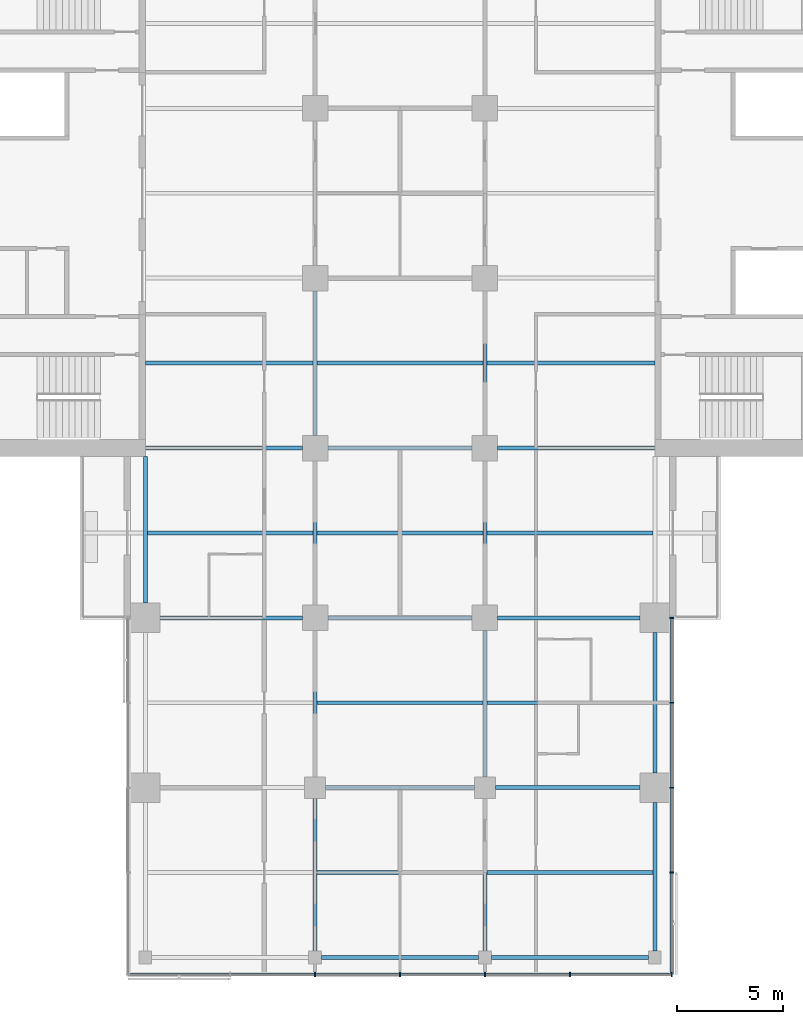
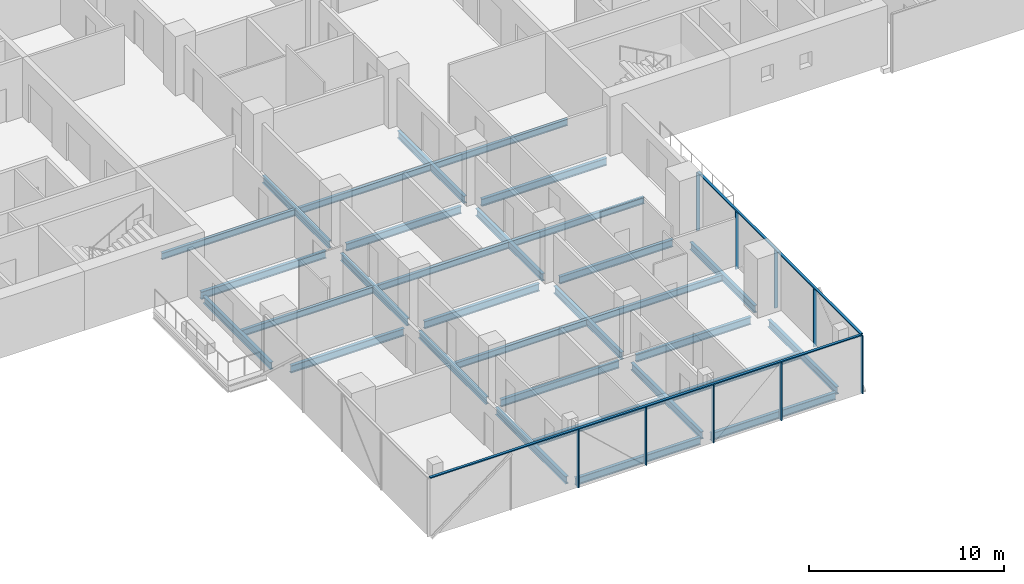
# One storey, part 4 of 27: 31 beams, 11 members, 2 elements without a shape of their own.
"""IFC4 building model written with IfcOpenShell, lengths in metres."""

from ifc_helpers import new_model, si_unit, direction, frame, origin, origin_2d, place, context, subcontext, project, spatial, rectangle, i_section, extrude, material, material_profile, profile_set, type_object, element, aggregate, save


model = new_model("IFC4")

# Units and contexts
model_context = context("Model", 3, precision=1e-05, world=origin(), true_north=direction((0.0, 1.0)))
body_context = subcontext(model_context, "Body", "Model", "MODEL_VIEW")
ifc_project = project(units=[si_unit("LENGTHUNIT", "METRE"), si_unit("AREAUNIT", "SQUARE_METRE"), si_unit("VOLUMEUNIT", "CUBIC_METRE"), si_unit("PLANEANGLEUNIT", "RADIAN"), si_unit("MASSUNIT", "GRAM", prefix="KILO")], contexts=[model_context])

# Site, building, storey
site_placement = place(None, origin())
site = spatial("IfcSite", under=ifc_project, at=site_placement, CompositionType="ELEMENT")
building_placement = place(site_placement, origin())
building = spatial("IfcBuilding", under=site, at=building_placement, Name="Crosswind Convention Tower", CompositionType="ELEMENT")
storey_placement = place(building_placement, frame((0.0, 0.0, 90.5)))
storey = spatial("IfcBuildingStorey", under=building, at=storey_placement, Name="L17", CompositionType="ELEMENT", Elevation=90.5)

# Beams
ifc_material_1 = material(Name="Steel S355", Category="steel")
ifc_material_profile_1 = material_profile(ifc_material_1, i_section(OverallWidth=0.1904296875, OverallDepth=0.457275390625, WebThickness=0.009033203125, FlangeThickness=0.014404296875, FilletRadius=0.01025390625, at=origin_2d()), Name="UB 457x191x75")
ifc_profile_set_1 = profile_set([ifc_material_profile_1], Name="Steel S355")
beam_type_1 = type_object("IfcBeamType", Name="Edge beam UB 457x191x75", PredefinedType="SPANDREL", material=ifc_profile_set_1)
beam_1_placement = place(storey_placement, frame((113.0, 80.699951171875, -0.508544921875), z_axis=(0.0, 1.0, 0.0), x_axis=(-1.0, 0.0, 0.0)))
element("IfcBeam", 1, at=beam_1_placement, inside=storey, type_object=beam_type_1, Name="B17 L17 edge beam 8", PredefinedType="SPANDREL", context=body_context, shape_type="SweptSolid", body=[
    extrude(i_section(OverallWidth=0.1904296875, OverallDepth=0.457275390625, WebThickness=0.009033203125, FlangeThickness=0.014404296875, FilletRadius=0.01025390625, at=origin_2d()), origin(), (0.0, 0.0, 1.0), 6.900146484375),
])
for number, where, z_axis, x_axis, name in (
    (2, (121.300048828125, 64.0, -0.508544921875), (1.0, 0.0, 0.0), (0.0, 1.0, 0.0), "B17 L17 edge beam 14"),
    (3, (129.300048828125, 64.0, -0.508544921875), (1.0, 0.0, 0.0), (0.0, 1.0, 0.0), "B17 L17 edge beam 16"),
):
    element("IfcBeam", number, at=place(storey_placement, frame(where, z_axis=z_axis, x_axis=x_axis)), inside=storey, type_object=beam_type_1, Name=name, PredefinedType="SPANDREL", context=body_context, shape_type="SweptSolid", body=[
        extrude(i_section(OverallWidth=0.1904296875, OverallDepth=0.457275390625, WebThickness=0.009033203125, FlangeThickness=0.014404296875, FilletRadius=0.01025390625, at=origin_2d()), origin(), (0.0, 0.0, 1.0), 7.39990234375),
    ])
beam_2_placement = place(storey_placement, frame((137.0, 64.300048828125, -0.508544921875), z_axis=(0.0, 1.0, 0.0), x_axis=(-1.0, 0.0, 0.0)))
element("IfcBeam", 4, at=beam_2_placement, inside=storey, type_object=beam_type_1, Name="B17 L17 edge beam 18", PredefinedType="SPANDREL", context=body_context, shape_type="SweptSolid", body=[
    extrude(i_section(OverallWidth=0.1904296875, OverallDepth=0.457275390625, WebThickness=0.009033203125, FlangeThickness=0.014404296875, FilletRadius=0.01025390625, at=origin_2d()), origin(), (0.0, 0.0, 1.0), 7.0),
])
beam_3_placement = place(storey_placement, frame((137.0, 72.699951171875, -0.508544921875), z_axis=(0.0, 1.0, 0.0), x_axis=(-1.0, 0.0, 0.0)))
element("IfcBeam", 5, at=beam_3_placement, inside=storey, type_object=beam_type_1, Name="B17 L17 edge beam 19", PredefinedType="SPANDREL", context=body_context, shape_type="SweptSolid", body=[
    extrude(i_section(OverallWidth=0.1904296875, OverallDepth=0.457275390625, WebThickness=0.009033203125, FlangeThickness=0.014404296875, FilletRadius=0.01025390625, at=origin_2d()), origin(), (0.0, 0.0, 1.0), 6.60009765625),
])
ifc_material_profile_2 = material_profile(ifc_material_1, i_section(OverallWidth=0.19140625, OverallDepth=0.460205078125, WebThickness=0.010009765625, FlangeThickness=0.01611328125, FilletRadius=0.01025390625, at=origin_2d()), Name="UB 457x191x82")
ifc_profile_set_2 = profile_set([ifc_material_profile_2], Name="Steel S355")
beam_type_2 = type_object("IfcBeamType", Name="Girder UB 457x191x82", PredefinedType="BEAM", material=ifc_profile_set_2)
beam_4_placement = place(storey_placement, frame((113.699951171875, 80.0, -0.510009765625), z_axis=(1.0, 0.0, 0.0), x_axis=(0.0, 1.0, 0.0)))
element("IfcBeam", 6, at=beam_4_placement, inside=storey, type_object=beam_type_2, Name="B3 L17 girder 2", PredefinedType="BEAM", context=body_context, shape_type="SweptSolid", body=[
    extrude(i_section(OverallWidth=0.19140625, OverallDepth=0.460205078125, WebThickness=0.010009765625, FlangeThickness=0.01611328125, FilletRadius=0.01025390625, at=origin_2d()), origin(), (0.0, 0.0, 1.0), 6.699951171875),
])
beam_5_placement = place(storey_placement, frame((121.0, 64.300048828125, -0.510009765625), z_axis=(0.0, 1.0, 0.0), x_axis=(-1.0, 0.0, 0.0)))
element("IfcBeam", 7, at=beam_5_placement, inside=storey, type_object=beam_type_2, Name="B3 L17 girder 5", PredefinedType="BEAM", context=body_context, shape_type="SweptSolid", body=[
    extrude(i_section(OverallWidth=0.19140625, OverallDepth=0.460205078125, WebThickness=0.010009765625, FlangeThickness=0.01611328125, FilletRadius=0.01025390625, at=origin_2d()), origin(), (0.0, 0.0, 1.0), 7.199951171875),
])
beam_6_placement = place(storey_placement, frame((121.0, 72.5, -0.510009765625), z_axis=(0.0, 1.0, 0.0), x_axis=(-1.0, 0.0, 0.0)))
element("IfcBeam", 8, at=beam_6_placement, inside=storey, type_object=beam_type_2, Name="B3 L17 girder 6", PredefinedType="BEAM", context=body_context, shape_type="SweptSolid", body=[
    extrude(i_section(OverallWidth=0.19140625, OverallDepth=0.460205078125, WebThickness=0.010009765625, FlangeThickness=0.01611328125, FilletRadius=0.01025390625, at=origin_2d()), origin(), (0.0, 0.0, 1.0), 6.89990234375),
])
for number, where, z_axis, x_axis, name in (
    (9, (121.0, 80.60009765625, -0.510009765625), (0.0, 1.0, 0.0), (-1.0, 0.0, 0.0), "B3 L17 girder 7"),
    (10, (121.0, 88.60009765625, -0.510009765625), (0.0, 1.0, 0.0), (-1.0, 0.0, 0.0), "B3 L17 girder 8"),
):
    element("IfcBeam", number, at=place(storey_placement, frame(where, z_axis=z_axis, x_axis=x_axis)), inside=storey, type_object=beam_type_2, Name=name, PredefinedType="BEAM", context=body_context, shape_type="SweptSolid", body=[
        extrude(i_section(OverallWidth=0.19140625, OverallDepth=0.460205078125, WebThickness=0.010009765625, FlangeThickness=0.01611328125, FilletRadius=0.01025390625, at=origin_2d()), origin(), (0.0, 0.0, 1.0), 6.7998046875),
    ])
beam_7_placement = place(storey_placement, frame((121.5, 72.0, -0.510009765625), z_axis=(1.0, 0.0, 0.0), x_axis=(0.0, 1.0, 0.0)))
element("IfcBeam", 11, at=beam_7_placement, inside=storey, type_object=beam_type_2, Name="B3 L17 girder 14", PredefinedType="BEAM", context=body_context, shape_type="SweptSolid", body=[
    extrude(i_section(OverallWidth=0.19140625, OverallDepth=0.460205078125, WebThickness=0.010009765625, FlangeThickness=0.01611328125, FilletRadius=0.01025390625, at=origin_2d()), origin(), (0.0, 0.0, 1.0), 7.0),
])
for number, where, z_axis, x_axis, name in (
    (12, (121.60009765625, 80.0, -0.510009765625), (1.0, 0.0, 0.0), (0.0, 1.0, 0.0), "B3 L17 girder 16"),
    (13, (121.60009765625, 88.0, -0.510009765625), (1.0, 0.0, 0.0), (0.0, 1.0, 0.0), "B3 L17 girder 17"),
):
    element("IfcBeam", number, at=place(storey_placement, frame(where, z_axis=z_axis, x_axis=x_axis)), inside=storey, type_object=beam_type_2, Name=name, PredefinedType="BEAM", context=body_context, shape_type="SweptSolid", body=[
        extrude(i_section(OverallWidth=0.19140625, OverallDepth=0.460205078125, WebThickness=0.010009765625, FlangeThickness=0.01611328125, FilletRadius=0.01025390625, at=origin_2d()), origin(), (0.0, 0.0, 1.0), 6.7998046875),
    ])
beam_8_placement = place(storey_placement, frame((129.0, 64.300048828125, -0.510009765625), z_axis=(0.0, 1.0, 0.0), x_axis=(-1.0, 0.0, 0.0)))
element("IfcBeam", 14, at=beam_8_placement, inside=storey, type_object=beam_type_2, Name="B3 L17 girder 22", PredefinedType="BEAM", context=body_context, shape_type="SweptSolid", body=[
    extrude(i_section(OverallWidth=0.19140625, OverallDepth=0.460205078125, WebThickness=0.010009765625, FlangeThickness=0.01611328125, FilletRadius=0.01025390625, at=origin_2d()), origin(), (0.0, 0.0, 1.0), 7.199951171875),
])
beam_9_placement = place(storey_placement, frame((129.0, 72.5, -0.510009765625), z_axis=(0.0, 1.0, 0.0), x_axis=(-1.0, 0.0, 0.0)))
element("IfcBeam", 15, at=beam_9_placement, inside=storey, type_object=beam_type_2, Name="B3 L17 girder 23", PredefinedType="BEAM", context=body_context, shape_type="SweptSolid", body=[
    extrude(i_section(OverallWidth=0.19140625, OverallDepth=0.460205078125, WebThickness=0.010009765625, FlangeThickness=0.01611328125, FilletRadius=0.01025390625, at=origin_2d()), origin(), (0.0, 0.0, 1.0), 6.89990234375),
])
for number, where, z_axis, x_axis, name in (
    (16, (129.0, 80.60009765625, -0.510009765625), (0.0, 1.0, 0.0), (-1.0, 0.0, 0.0), "B3 L17 girder 24"),
    (17, (129.0, 88.60009765625, -0.510009765625), (0.0, 1.0, 0.0), (-1.0, 0.0, 0.0), "B3 L17 girder 25"),
):
    element("IfcBeam", number, at=place(storey_placement, frame(where, z_axis=z_axis, x_axis=x_axis)), inside=storey, type_object=beam_type_2, Name=name, PredefinedType="BEAM", context=body_context, shape_type="SweptSolid", body=[
        extrude(i_section(OverallWidth=0.19140625, OverallDepth=0.460205078125, WebThickness=0.010009765625, FlangeThickness=0.01611328125, FilletRadius=0.01025390625, at=origin_2d()), origin(), (0.0, 0.0, 1.0), 6.7998046875),
    ])
beam_10_placement = place(storey_placement, frame((129.5, 72.0, -0.510009765625), z_axis=(1.0, 0.0, 0.0), x_axis=(0.0, 1.0, 0.0)))
element("IfcBeam", 18, at=beam_10_placement, inside=storey, type_object=beam_type_2, Name="B3 L17 girder 31", PredefinedType="BEAM", context=body_context, shape_type="SweptSolid", body=[
    extrude(i_section(OverallWidth=0.19140625, OverallDepth=0.460205078125, WebThickness=0.010009765625, FlangeThickness=0.01611328125, FilletRadius=0.01025390625, at=origin_2d()), origin(), (0.0, 0.0, 1.0), 6.800048828125),
])
beam_11_placement = place(storey_placement, frame((129.60009765625, 80.0, -0.510009765625), z_axis=(1.0, 0.0, 0.0), x_axis=(0.0, 1.0, 0.0)))
element("IfcBeam", 19, at=beam_11_placement, inside=storey, type_object=beam_type_2, Name="B3 L17 girder 33", PredefinedType="BEAM", context=body_context, shape_type="SweptSolid", body=[
    extrude(i_section(OverallWidth=0.19140625, OverallDepth=0.460205078125, WebThickness=0.010009765625, FlangeThickness=0.01611328125, FilletRadius=0.01025390625, at=origin_2d()), origin(), (0.0, 0.0, 1.0), 6.699951171875),
])
ifc_material_profile_3 = material_profile(ifc_material_1, i_section(OverallWidth=0.19189453125, OverallDepth=0.463623046875, WebThickness=0.010498046875, FlangeThickness=0.017578125, FilletRadius=0.01025390625, at=origin_2d()), Name="UB 457x191x90")
ifc_profile_set_3 = profile_set([ifc_material_profile_3], Name="Steel S355")
beam_type_3 = type_object("IfcBeamType", Name="Girder at core wall UB 457x191x90", PredefinedType="BEAM", material=ifc_profile_set_3)
for number, where, z_axis, x_axis, name in (
    (20, (113.0, 88.0, -0.51171875), (1.0, 0.0, 0.0), (0.0, 1.0, 0.0), "B24 L17 girder at core wall 3"),
    (21, (129.60009765625, 88.0, -0.51171875), (1.0, 0.0, 0.0), (0.0, 1.0, 0.0), "B24 L17 girder at core wall 7"),
):
    element("IfcBeam", number, at=place(storey_placement, frame(where, z_axis=z_axis, x_axis=x_axis)), inside=storey, type_object=beam_type_3, Name=name, PredefinedType="BEAM", context=body_context, shape_type="SweptSolid", body=[
        extrude(i_section(OverallWidth=0.19189453125, OverallDepth=0.463623046875, WebThickness=0.010498046875, FlangeThickness=0.017578125, FilletRadius=0.01025390625, at=origin_2d()), origin(), (0.0, 0.0, 1.0), 7.39990234375),
    ])

# Curtain wall, members
ifc_material_2 = material(Name="Aluminium unitised curtain wall", Category="aluminium")
curtain_wall_type = type_object("IfcCurtainWallType", Name="HOTEL UNITISED WALL 200", PredefinedType="USERDEFINED", material=ifc_material_2)
curtain_wall_1_placement = place(storey_placement, origin())
curtain_wall_1 = element("IfcCurtainWall", 22, at=curtain_wall_1_placement, inside=storey, type_object=curtain_wall_type, Name="CW2 L17 S-TIP 1", ObjectType="UNITISED", PredefinedType="USERDEFINED")
ifc_material_3 = material(Name="Aluminium mullion", Category="aluminium")
ifc_material_profile_4 = material_profile(ifc_material_3, rectangle(XDim=0.199951171875, YDim=0.06494140625, at=origin_2d()), Name="AL 200X65")
ifc_profile_set_4 = profile_set([ifc_material_profile_4], Name="Aluminium mullion")
member_type_1 = type_object("IfcMemberType", Name="MULLION 65X200", PredefinedType="MULLION", material=ifc_profile_set_4)
member_1_placement = place(storey_placement, frame((121.0, 63.199951171875, -0.280029296875), z_axis=(0.0, 0.0, 1.0), x_axis=(0.0, -1.0, 0.0)))
member_1 = element("IfcMember", 23, at=member_1_placement, type_object=member_type_1, Name="CW2 mullion 3", PredefinedType="MULLION", context=body_context, shape_type="SweptSolid", body=[
    extrude(rectangle(XDim=0.199951171875, YDim=0.06494140625, at=origin_2d()), origin(), (0.0, 0.0, 1.0), 3.635009765625),
])
member_2_placement = place(storey_placement, frame((125.0, 63.199951171875, -0.280029296875), z_axis=(0.0, 0.0, 1.0), x_axis=(0.0, -1.0, 0.0)))
member_2 = element("IfcMember", 24, at=member_2_placement, type_object=member_type_1, Name="CW2 mullion 4", PredefinedType="MULLION", context=body_context, shape_type="SweptSolid", body=[
    extrude(rectangle(XDim=0.199951171875, YDim=0.06494140625, at=origin_2d()), origin(), (0.0, 0.0, 1.0), 3.635009765625),
])
member_3_placement = place(storey_placement, frame((129.0, 63.199951171875, -0.280029296875), z_axis=(0.0, 0.0, 1.0), x_axis=(0.0, -1.0, 0.0)))
member_3 = element("IfcMember", 25, at=member_3_placement, type_object=member_type_1, Name="CW2 mullion 5", PredefinedType="MULLION", context=body_context, shape_type="SweptSolid", body=[
    extrude(rectangle(XDim=0.199951171875, YDim=0.06494140625, at=origin_2d()), origin(), (0.0, 0.0, 1.0), 3.635009765625),
])
member_4_placement = place(storey_placement, frame((133.0, 63.199951171875, -0.280029296875), z_axis=(0.0, 0.0, 1.0), x_axis=(0.0, -1.0, 0.0)))
member_4 = element("IfcMember", 26, at=member_4_placement, type_object=member_type_1, Name="CW2 mullion 6", PredefinedType="MULLION", context=body_context, shape_type="SweptSolid", body=[
    extrude(rectangle(XDim=0.199951171875, YDim=0.06494140625, at=origin_2d()), origin(), (0.0, 0.0, 1.0), 3.635009765625),
])
member_5_placement = place(storey_placement, frame((137.800048828125, 63.199951171875, -0.280029296875), z_axis=(0.0, 0.0, 1.0), x_axis=(0.0, -1.0, 0.0)))
member_5 = element("IfcMember", 27, at=member_5_placement, type_object=member_type_1, Name="CW2 mullion 7", PredefinedType="MULLION", context=body_context, shape_type="SweptSolid", body=[
    extrude(rectangle(XDim=0.199951171875, YDim=0.06494140625, at=origin_2d()), origin(), (0.0, 0.0, 1.0), 3.635009765625),
])

curtain_wall_2_placement = place(storey_placement, origin())
curtain_wall_2 = element("IfcCurtainWall", 28, at=curtain_wall_2_placement, inside=storey, type_object=curtain_wall_type, Name="CW2 L17 S-E 1", ObjectType="UNITISED", PredefinedType="USERDEFINED")
member_6_placement = place(storey_placement, frame((137.800048828125, 68.0, -0.280029296875), z_axis=(0.0, 0.0, 1.0), x_axis=(1.0, 0.0, 0.0)))
member_6 = element("IfcMember", 29, at=member_6_placement, type_object=member_type_1, Name="CW2 mullion 2", PredefinedType="MULLION", context=body_context, shape_type="SweptSolid", body=[
    extrude(rectangle(XDim=0.199951171875, YDim=0.06494140625, at=origin_2d()), origin(), (0.0, 0.0, 1.0), 3.635009765625),
])
member_7_placement = place(storey_placement, frame((137.800048828125, 72.0, -0.280029296875), z_axis=(0.0, 0.0, 1.0), x_axis=(1.0, 0.0, 0.0)))
member_7 = element("IfcMember", 30, at=member_7_placement, type_object=member_type_1, Name="CW2 mullion 3", PredefinedType="MULLION", context=body_context, shape_type="SweptSolid", body=[
    extrude(rectangle(XDim=0.199951171875, YDim=0.06494140625, at=origin_2d()), origin(), (0.0, 0.0, 1.0), 3.635009765625),
])
member_8_placement = place(storey_placement, frame((137.800048828125, 76.0, -0.280029296875), z_axis=(0.0, 0.0, 1.0), x_axis=(1.0, 0.0, 0.0)))
member_8 = element("IfcMember", 31, at=member_8_placement, type_object=member_type_1, Name="CW2 mullion 4", PredefinedType="MULLION", context=body_context, shape_type="SweptSolid", body=[
    extrude(rectangle(XDim=0.199951171875, YDim=0.06494140625, at=origin_2d()), origin(), (0.0, 0.0, 1.0), 3.635009765625),
])
member_9_placement = place(storey_placement, frame((137.800048828125, 80.0, -0.280029296875), z_axis=(0.0, 0.0, 1.0), x_axis=(1.0, 0.0, 0.0)))
member_9 = element("IfcMember", 32, at=member_9_placement, type_object=member_type_1, Name="CW2 mullion 5", PredefinedType="MULLION", context=body_context, shape_type="SweptSolid", body=[
    extrude(rectangle(XDim=0.199951171875, YDim=0.06494140625, at=origin_2d()), origin(), (0.0, 0.0, 1.0), 3.635009765625),
])

# Beams
ifc_material_profile_5 = material_profile(ifc_material_1, i_section(OverallWidth=0.177734375, OverallDepth=0.406494140625, WebThickness=0.0078125, FlangeThickness=0.0126953125, FilletRadius=0.01025390625, at=origin_2d()), Name="UB 406x178x60")
ifc_profile_set_5 = profile_set([ifc_material_profile_5], Name="Steel S355")
beam_type_4 = type_object("IfcBeamType", Name="Secondary beam UB 406x178x60", PredefinedType="JOIST", material=ifc_profile_set_5)
beam_12_placement = place(storey_placement, frame((113.0, 92.0, -0.483154296875), z_axis=(1.0, 0.0, 0.0), x_axis=(0.0, 1.0, 0.0)))
element("IfcBeam", 33, at=beam_12_placement, inside=storey, type_object=beam_type_4, Name="B10 L17 secondary beam 4", PredefinedType="JOIST", context=body_context, shape_type="SweptSolid", body=[
    extrude(i_section(OverallWidth=0.177734375, OverallDepth=0.406494140625, WebThickness=0.0078125, FlangeThickness=0.0126953125, FilletRadius=0.01025390625, at=origin_2d()), origin(), (0.0, 0.0, 1.0), 7.904296875),
])
beam_13_placement = place(storey_placement, frame((113.09521484375, 84.0, -0.483154296875), z_axis=(1.0, 0.0, 0.0), x_axis=(0.0, 1.0, 0.0)))
element("IfcBeam", 34, at=beam_13_placement, inside=storey, type_object=beam_type_4, Name="B10 L17 secondary beam 9", PredefinedType="JOIST", context=body_context, shape_type="SweptSolid", body=[
    extrude(i_section(OverallWidth=0.177734375, OverallDepth=0.406494140625, WebThickness=0.0078125, FlangeThickness=0.0126953125, FilletRadius=0.01025390625, at=origin_2d()), origin(), (0.0, 0.0, 1.0), 7.80908203125),
])
for number, where, z_axis, x_axis, name in (
    (35, (121.095703125, 68.0, -0.483154296875), (1.0, 0.0, 0.0), (0.0, 1.0, 0.0), "B10 L17 secondary beam 13"),
    (36, (121.095703125, 76.0, -0.483154296875), (1.0, 0.0, 0.0), (0.0, 1.0, 0.0), "B10 L17 secondary beam 14"),
    (37, (121.095703125, 84.0, -0.483154296875), (1.0, 0.0, 0.0), (0.0, 1.0, 0.0), "B10 L17 secondary beam 15"),
    (38, (121.095703125, 92.0, -0.483154296875), (1.0, 0.0, 0.0), (0.0, 1.0, 0.0), "B10 L17 secondary beam 16"),
):
    element("IfcBeam", number, at=place(storey_placement, frame(where, z_axis=z_axis, x_axis=x_axis)), inside=storey, type_object=beam_type_4, Name=name, PredefinedType="JOIST", context=body_context, shape_type="SweptSolid", body=[
        extrude(i_section(OverallWidth=0.177734375, OverallDepth=0.406494140625, WebThickness=0.0078125, FlangeThickness=0.0126953125, FilletRadius=0.01025390625, at=origin_2d()), origin(), (0.0, 0.0, 1.0), 7.80859375),
    ])
for number, where, z_axis, x_axis, name in (
    (39, (129.095703125, 68.0, -0.483154296875), (1.0, 0.0, 0.0), (0.0, 1.0, 0.0), "B10 L17 secondary beam 22"),
    (40, (129.095703125, 76.0, -0.483154296875), (1.0, 0.0, 0.0), (0.0, 1.0, 0.0), "B10 L17 secondary beam 23"),
    (41, (129.095703125, 84.0, -0.483154296875), (1.0, 0.0, 0.0), (0.0, 1.0, 0.0), "B10 L17 secondary beam 24"),
):
    element("IfcBeam", number, at=place(storey_placement, frame(where, z_axis=z_axis, x_axis=x_axis)), inside=storey, type_object=beam_type_4, Name=name, PredefinedType="JOIST", context=body_context, shape_type="SweptSolid", body=[
        extrude(i_section(OverallWidth=0.177734375, OverallDepth=0.406494140625, WebThickness=0.0078125, FlangeThickness=0.0126953125, FilletRadius=0.01025390625, at=origin_2d()), origin(), (0.0, 0.0, 1.0), 7.80908203125),
    ])
beam_14_placement = place(storey_placement, frame((129.095703125, 92.0, -0.483154296875), z_axis=(1.0, 0.0, 0.0), x_axis=(0.0, 1.0, 0.0)))
element("IfcBeam", 42, at=beam_14_placement, inside=storey, type_object=beam_type_4, Name="B10 L17 secondary beam 25", PredefinedType="JOIST", context=body_context, shape_type="SweptSolid", body=[
    extrude(i_section(OverallWidth=0.177734375, OverallDepth=0.406494140625, WebThickness=0.0078125, FlangeThickness=0.0126953125, FilletRadius=0.01025390625, at=origin_2d()), origin(), (0.0, 0.0, 1.0), 7.904296875),
])

# Member
ifc_material_4 = material(Name="Aluminium transom", Category="aluminium")
ifc_material_profile_6 = material_profile(ifc_material_4, rectangle(XDim=0.14990234375, YDim=0.06494140625, at=origin_2d()), Name="AL 150X65")
ifc_profile_set_6 = profile_set([ifc_material_profile_6], Name="Aluminium transom")
member_type_2 = type_object("IfcMemberType", Name="TRANSOM 65X150", PredefinedType="USERDEFINED", material=ifc_profile_set_6)
member_10_placement = place(storey_placement, frame((112.232421875, 63.199951171875, 3.387451171875), z_axis=(1.0, 0.0, 0.0), x_axis=(0.0, 1.0, 0.0)))
member_10 = element("IfcMember", 43, at=member_10_placement, type_object=member_type_2, Name="CW2 transom", ObjectType="TRANSOM", PredefinedType="USERDEFINED", context=body_context, shape_type="SweptSolid", body=[
    extrude(rectangle(XDim=0.14990234375, YDim=0.06494140625, at=origin_2d()), origin(), (0.0, 0.0, 1.0), 25.53515625),
])

aggregate(curtain_wall_1, [member_1, member_2, member_3, member_4, member_5, member_10])

member_11_placement = place(storey_placement, frame((137.800048828125, 63.232421875, 3.387451171875), z_axis=(0.0, 1.0, 0.0), x_axis=(-1.0, 0.0, 0.0)))
member_11 = element("IfcMember", 44, at=member_11_placement, type_object=member_type_2, Name="CW2 transom", ObjectType="TRANSOM", PredefinedType="USERDEFINED", context=body_context, shape_type="SweptSolid", body=[
    extrude(rectangle(XDim=0.14990234375, YDim=0.06494140625, at=origin_2d()), origin(), (0.0, 0.0, 1.0), 16.735107421875),
])

aggregate(curtain_wall_2, [member_6, member_7, member_8, member_9, member_11])

save(model, "model.ifc")
